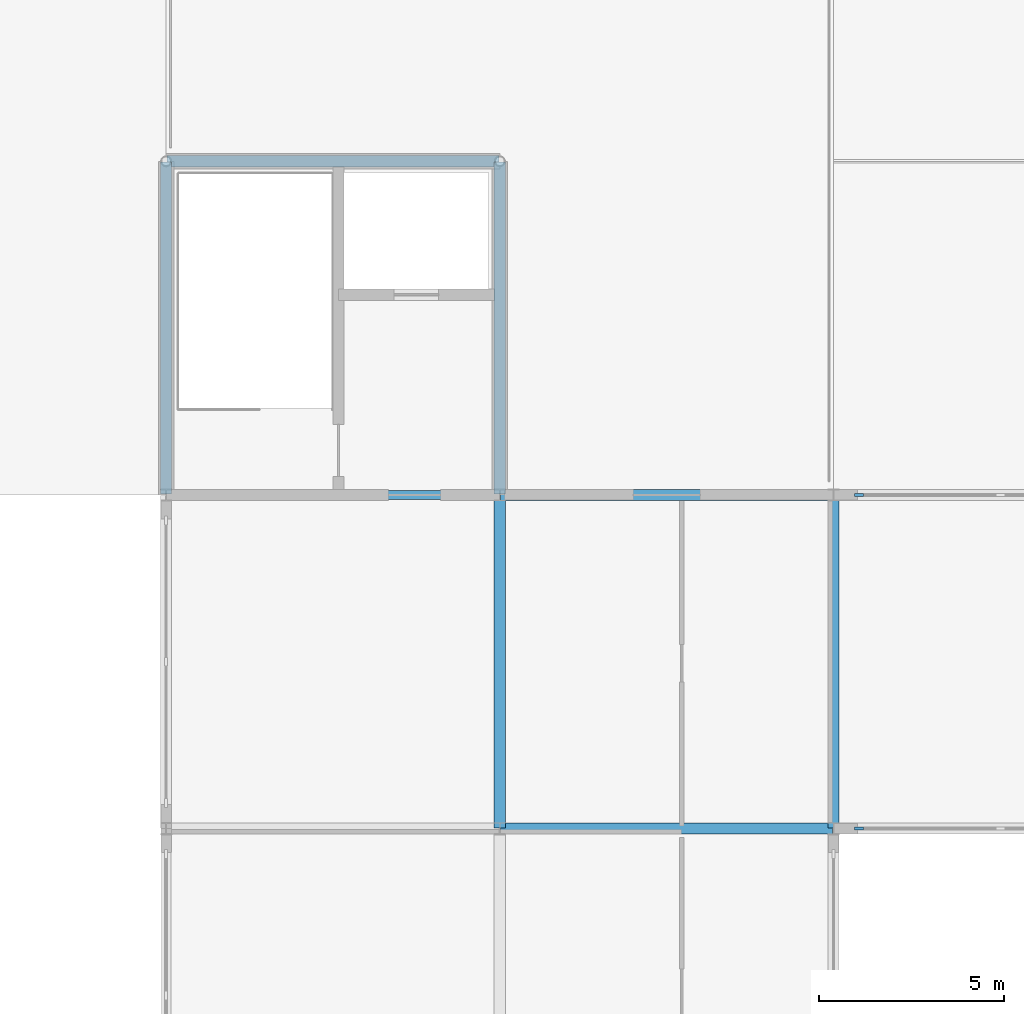
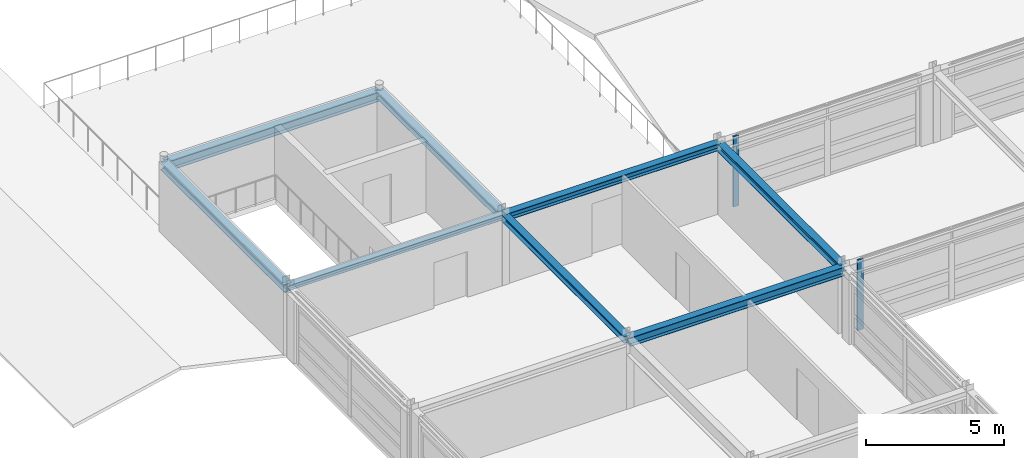
# One storey, part 22 of 91: 8 beams, 2 members, 2 elements without a shape of their own.
"""IFC4 building model written with IfcOpenShell, lengths in metres."""

from ifc_helpers import new_model, si_unit, direction, frame, origin, origin_2d, place, context, subcontext, project, spatial, rectangle, i_section, extrude, material, material_profile, profile_set, type_object, element, aggregate, save


model = new_model("IFC4")

# Units and contexts
model_context = context("Model", 3, precision=1e-05, world=origin(), true_north=direction((0.0, 1.0)))
body_context = subcontext(model_context, "Body", "Model", "MODEL_VIEW")
ifc_project = project(units=[si_unit("LENGTHUNIT", "METRE"), si_unit("AREAUNIT", "SQUARE_METRE"), si_unit("VOLUMEUNIT", "CUBIC_METRE"), si_unit("PLANEANGLEUNIT", "RADIAN"), si_unit("MASSUNIT", "GRAM", prefix="KILO")], contexts=[model_context])

# Site, building, storey
site_placement = place(None, origin())
site = spatial("IfcSite", under=ifc_project, at=site_placement, CompositionType="ELEMENT")
building_placement = place(site_placement, origin())
building = spatial("IfcBuilding", under=site, at=building_placement, Name="Palais des Congres Ocreval", CompositionType="ELEMENT")
storey_placement = place(building_placement, frame((0.0, 0.0, 8.159912109375)))
storey = spatial("IfcBuildingStorey", under=building, at=storey_placement, Name="L02", CompositionType="ELEMENT", Elevation=8.159912109375)

# Curtain wall, member
ifc_material_1 = material(Name="Anodized bronze aluminium and low-E glass", Category="glass")
curtain_wall_type = type_object("IfcCurtainWallType", Name="Unitised Curtain Wall 7900x3120", PredefinedType="USERDEFINED", material=ifc_material_1)
curtain_wall_1_placement = place(storey_placement, origin())
curtain_wall_1 = element("IfcCurtainWall", 1, at=curtain_wall_1_placement, inside=storey, type_object=curtain_wall_type, Name="Unitised Curtain Wall CW03 L02", ObjectType="UNITISED CURTAIN WALL", PredefinedType="USERDEFINED")
ifc_material_2 = material(Name="Anodized bronze aluminium", Category="aluminium")
ifc_material_profile_1 = material_profile(ifc_material_2, rectangle(XDim=0.074951171875, YDim=0.239990234375, at=origin_2d()), Name="ALU 75x240")
ifc_profile_set_1 = profile_set([ifc_material_profile_1], Name="Anodized bronze aluminium")
member_type = type_object("IfcMemberType", Name="Curtain Wall Mullion ALU 75x240", PredefinedType="MULLION", material=ifc_profile_set_1)
member_1_placement = place(storey_placement, frame((126.6875, 45.0, 0.0), z_axis=(0.0, 0.0, 1.0), x_axis=(0.0, 1.0, 0.0)))
member_1 = element("IfcMember", 2, at=member_1_placement, type_object=member_type, Name="Curtain Wall Mullion ML01", PredefinedType="MULLION", context=body_context, shape_type="SweptSolid", body=[
    extrude(rectangle(XDim=0.074951171875, YDim=0.239990234375, at=origin_2d()), origin(), (0.0, 0.0, 1.0), 3.110107421875),
])
aggregate(curtain_wall_1, [member_1])

curtain_wall_2_placement = place(storey_placement, origin())
curtain_wall_2 = element("IfcCurtainWall", 3, at=curtain_wall_2_placement, inside=storey, type_object=curtain_wall_type, Name="Unitised Curtain Wall CW03 L02", ObjectType="UNITISED CURTAIN WALL", PredefinedType="USERDEFINED")
member_2_placement = place(storey_placement, frame((126.6875, 36.0, 0.0), z_axis=(0.0, 0.0, 1.0), x_axis=(0.0, -1.0, 0.0)))
member_2 = element("IfcMember", 4, at=member_2_placement, type_object=member_type, Name="Curtain Wall Mullion ML01", PredefinedType="MULLION", context=body_context, shape_type="SweptSolid", body=[
    extrude(rectangle(XDim=0.074951171875, YDim=0.239990234375, at=origin_2d()), origin(), (0.0, 0.0, 1.0), 3.110107421875),
])
aggregate(curtain_wall_2, [member_2])

# Beams
ifc_material_3 = material(Name="Steel S355", Category="steel")
ifc_material_profile_2 = material_profile(ifc_material_3, i_section(OverallWidth=0.239990234375, OverallDepth=0.22998046875, WebThickness=0.007568359375, FlangeThickness=0.011962890625, at=origin_2d()), Name="HEA 240")
ifc_profile_set_2 = profile_set([ifc_material_profile_2], Name="Steel S355")
beam_type_1 = type_object("IfcBeamType", Name="Perimeter Spandrel HEA 240 Steel S355", PredefinedType="SPANDREL", material=ifc_profile_set_2)
beam_1_placement = place(storey_placement, frame((108.02001953125, 45.0, 2.985107421875), z_axis=(1.0, 0.0, 0.0), x_axis=(0.0, 1.0, 0.0)))
element("IfcBeam", 5, at=beam_1_placement, inside=storey, type_object=beam_type_1, Name="Beam SP01 L02", PredefinedType="SPANDREL", context=body_context, shape_type="SweptSolid", body=[
    extrude(i_section(OverallWidth=0.239990234375, OverallDepth=0.22998046875, WebThickness=0.007568359375, FlangeThickness=0.011962890625, at=origin_2d()), origin(), (0.0, 0.0, 1.0), 8.9599609375),
])
ifc_material_profile_3 = material_profile(ifc_material_3, i_section(OverallWidth=0.300048828125, OverallDepth=0.300048828125, WebThickness=0.010986328125, FlangeThickness=0.01904296875, at=origin_2d()), Name="HEB 300")
ifc_profile_set_3 = profile_set([ifc_material_profile_3], Name="Steel S355")
beam_type_2 = type_object("IfcBeamType", Name="Perimeter Spandrel HEB 300 Steel S355", PredefinedType="SPANDREL", material=ifc_profile_set_3)
beam_2_placement = place(storey_placement, frame((117.02001953125, 45.0, 2.9501953125), z_axis=(1.0, 0.0, 0.0), x_axis=(0.0, 1.0, 0.0)))
element("IfcBeam", 6, at=beam_2_placement, inside=storey, type_object=beam_type_2, Name="Beam SP02 L02", PredefinedType="SPANDREL", context=body_context, shape_type="SweptSolid", body=[
    extrude(i_section(OverallWidth=0.300048828125, OverallDepth=0.300048828125, WebThickness=0.010986328125, FlangeThickness=0.01904296875, at=origin_2d()), origin(), (0.0, 0.0, 1.0), 8.9599609375),
])
ifc_material_profile_4 = material_profile(ifc_material_3, i_section(OverallWidth=0.300048828125, OverallDepth=0.360107421875, WebThickness=0.012451171875, FlangeThickness=0.0224609375, at=origin_2d()), Name="HEB 360")
ifc_profile_set_4 = profile_set([ifc_material_profile_4], Name="Steel S355")
beam_type_3 = type_object("IfcBeamType", Name="Perimeter Spandrel HEB 360 Steel S355", PredefinedType="SPANDREL", material=ifc_profile_set_4)
beam_3_placement = place(storey_placement, frame((108.0, 45.02001953125, 2.920166015625), z_axis=(0.0, 1.0, 0.0), x_axis=(-1.0, 0.0, 0.0)))
element("IfcBeam", 7, at=beam_3_placement, inside=storey, type_object=beam_type_3, Name="Girder SP03 L02", PredefinedType="SPANDREL", context=body_context, shape_type="SweptSolid", body=[
    extrude(i_section(OverallWidth=0.300048828125, OverallDepth=0.360107421875, WebThickness=0.012451171875, FlangeThickness=0.0224609375, at=origin_2d()), origin(), (0.0, 0.0, 1.0), 8.9599609375),
])
ifc_material_profile_5 = material_profile(ifc_material_3, i_section(OverallWidth=0.300048828125, OverallDepth=0.2900390625, WebThickness=0.008544921875, FlangeThickness=0.013916015625, at=origin_2d()), Name="HEA 300")
ifc_profile_set_5 = profile_set([ifc_material_profile_5], Name="Steel S355")
beam_type_4 = type_object("IfcBeamType", Name="Primary Beam HEA 300 Steel S355", PredefinedType="BEAM", material=ifc_profile_set_5)
beam_4_placement = place(storey_placement, frame((117.0, 36.02001953125, 2.955078125), z_axis=(0.0, 1.0, 0.0), x_axis=(-1.0, 0.0, 0.0)))
element("IfcBeam", 8, at=beam_4_placement, inside=storey, type_object=beam_type_4, Name="Girder B08 L02", PredefinedType="BEAM", context=body_context, shape_type="SweptSolid", body=[
    extrude(i_section(OverallWidth=0.300048828125, OverallDepth=0.2900390625, WebThickness=0.008544921875, FlangeThickness=0.013916015625, at=origin_2d()), origin(), (0.0, 0.0, 1.0), 8.9599609375),
])
ifc_material_profile_6 = material_profile(ifc_material_3, i_section(OverallWidth=0.300048828125, OverallDepth=0.330078125, WebThickness=0.009521484375, FlangeThickness=0.0166015625, at=origin_2d()), Name="HEA 340")
ifc_profile_set_6 = profile_set([ifc_material_profile_6], Name="Steel S355")
beam_type_5 = type_object("IfcBeamType", Name="Primary Beam HEA 340 Steel S355", PredefinedType="BEAM", material=ifc_profile_set_6)
for number, where, z_axis, x_axis, name in (
    (9, (117.0, 45.02001953125, 2.93505859375), (0.0, 1.0, 0.0), (-1.0, 0.0, 0.0), "Girder B09 L02"),
    (10, (126.0, 36.02001953125, 2.93505859375), (0.0, 1.0, 0.0), (-1.0, 0.0, 0.0), "Girder B09 L02"),
):
    element("IfcBeam", number, at=place(storey_placement, frame(where, z_axis=z_axis, x_axis=x_axis)), inside=storey, type_object=beam_type_5, Name=name, PredefinedType="BEAM", context=body_context, shape_type="SweptSolid", body=[
        extrude(i_section(OverallWidth=0.300048828125, OverallDepth=0.330078125, WebThickness=0.009521484375, FlangeThickness=0.0166015625, at=origin_2d()), origin(), (0.0, 0.0, 1.0), 8.9599609375),
    ])
ifc_material_profile_7 = material_profile(ifc_material_3, i_section(OverallWidth=0.300048828125, OverallDepth=0.389892578125, WebThickness=0.010986328125, FlangeThickness=0.01904296875, at=origin_2d()), Name="HEA 400")
ifc_profile_set_7 = profile_set([ifc_material_profile_7], Name="Steel S355")
beam_type_6 = type_object("IfcBeamType", Name="Primary Beam HEA 400 Steel S355", PredefinedType="BEAM", material=ifc_profile_set_7)
beam_5_placement = place(storey_placement, frame((117.02001953125, 36.0, 2.905029296875), z_axis=(1.0, 0.0, 0.0), x_axis=(0.0, 1.0, 0.0)))
element("IfcBeam", 11, at=beam_5_placement, inside=storey, type_object=beam_type_6, Name="Beam B10 L02", PredefinedType="BEAM", context=body_context, shape_type="SweptSolid", body=[
    extrude(i_section(OverallWidth=0.300048828125, OverallDepth=0.389892578125, WebThickness=0.010986328125, FlangeThickness=0.01904296875, at=origin_2d()), origin(), (0.0, 0.0, 1.0), 8.9599609375),
])
ifc_material_profile_8 = material_profile(ifc_material_3, i_section(OverallWidth=0.300048828125, OverallDepth=0.43994140625, WebThickness=0.011474609375, FlangeThickness=0.02099609375, at=origin_2d()), Name="HEA 450")
ifc_profile_set_8 = profile_set([ifc_material_profile_8], Name="Steel S355")
beam_type_7 = type_object("IfcBeamType", Name="Primary Beam HEA 450 Steel S355", PredefinedType="BEAM", material=ifc_profile_set_8)
beam_6_placement = place(storey_placement, frame((108.02001953125, 54.0, 2.880126953125), z_axis=(1.0, 0.0, 0.0), x_axis=(0.0, 1.0, 0.0)))
element("IfcBeam", 12, at=beam_6_placement, inside=storey, type_object=beam_type_7, Name="Beam B11 L02", PredefinedType="BEAM", context=body_context, shape_type="SweptSolid", body=[
    extrude(i_section(OverallWidth=0.300048828125, OverallDepth=0.43994140625, WebThickness=0.011474609375, FlangeThickness=0.02099609375, at=origin_2d()), origin(), (0.0, 0.0, 1.0), 8.9599609375),
])

save(model, "model.ifc")
